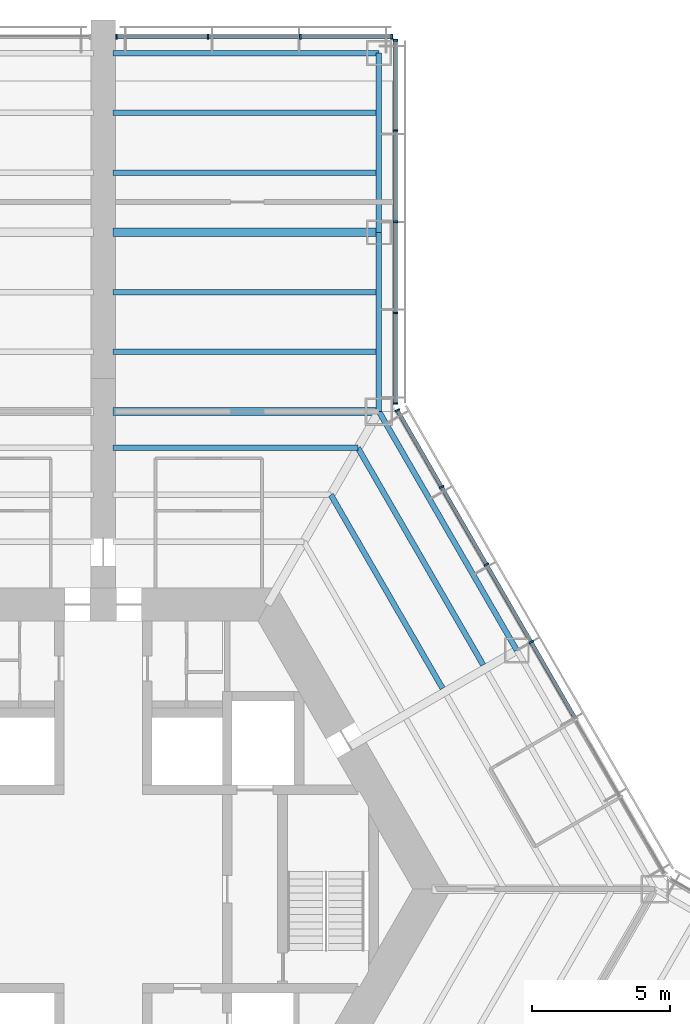
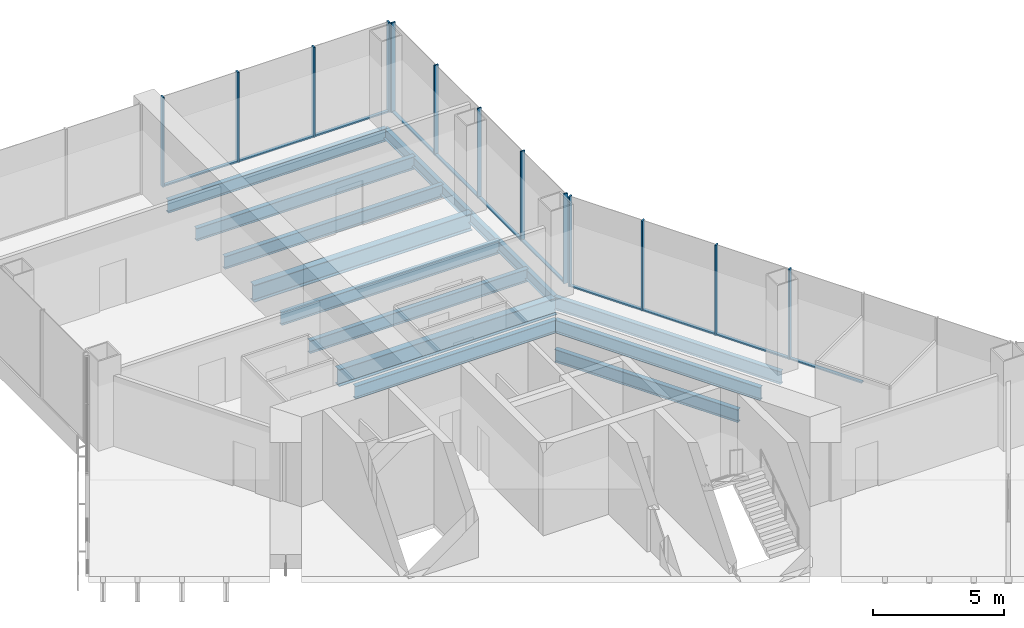
# One storey, part 7 of 16: 24 members, 13 beams, 3 elements without a shape of their own.
"""IFC4 building model written with IfcOpenShell, lengths in metres."""

from ifc_helpers import new_model, si_unit, direction, frame, origin, origin_2d, place, context, subcontext, project, spatial, rectangle, i_section, extrude, material, material_profile, profile_set, type_object, element, aggregate, save


model = new_model("IFC4")

# Units and contexts
model_context = context("Model", 3, precision=1e-05, world=origin(), true_north=direction((0.0, 1.0)))
body_context = subcontext(model_context, "Body", "Model", "MODEL_VIEW")
ifc_project = project(units=[si_unit("LENGTHUNIT", "METRE"), si_unit("AREAUNIT", "SQUARE_METRE"), si_unit("VOLUMEUNIT", "CUBIC_METRE"), si_unit("PLANEANGLEUNIT", "RADIAN"), si_unit("MASSUNIT", "GRAM", prefix="KILO")], contexts=[model_context])

# Site, building, storey
site_placement = place(None, origin())
site = spatial("IfcSite", under=ifc_project, at=site_placement, CompositionType="ELEMENT")
building_placement = place(site_placement, origin())
building = spatial("IfcBuilding", under=site, at=building_placement, Name="Kasaneha Research Tower", CompositionType="ELEMENT")
storey_placement = place(building_placement, frame((0.0, 0.0, 22.60009765625)))
storey = spatial("IfcBuildingStorey", under=building, at=storey_placement, Name="L06", CompositionType="ELEMENT", Elevation=22.60009765625)

# Beams
ifc_material_1 = material(Name="Steel SN490B", Category="steel")
ifc_material_profile_1 = material_profile(ifc_material_1, i_section(OverallWidth=0.199951171875, OverallDepth=0.60009765625, WebThickness=0.010986328125, FlangeThickness=0.01708984375, FilletRadius=0.012939453125, at=origin_2d()), Name="H-600x200x11x17")
ifc_profile_set_1 = profile_set([ifc_material_profile_1], Name="Steel SN490B")
beam_type_1 = type_object("IfcBeamType", Name="B1-1 secondary beam H-600x200x11x17", PredefinedType="JOIST", material=ifc_profile_set_1)
beam_1_placement = place(storey_placement, frame((8.256103515625, 14.300048828125, -0.5), z_axis=(0.499984030215, -0.866034623748, 0.0), x_axis=(0.866034623748, 0.499984030215, 0.0)))
element("IfcBeam", 1, at=beam_1_placement, inside=storey, type_object=beam_type_1, Name="Secondary beam RS030R2 L06", PredefinedType="JOIST", context=body_context, shape_type="SweptSolid", body=[
    extrude(i_section(OverallWidth=0.199951171875, OverallDepth=0.60009765625, WebThickness=0.010986328125, FlangeThickness=0.01708984375, FilletRadius=0.012939453125, at=origin_2d()), origin(), (0.0, 0.0, 1.0), 8.106201171875),
])
beam_2_placement = place(storey_placement, frame((9.237548828125, 16.0, -0.5), z_axis=(0.500010814234, -0.866019160093, 0.0), x_axis=(0.866019160093, 0.500010814234, 0.0)))
element("IfcBeam", 2, at=beam_2_placement, inside=storey, type_object=beam_type_1, Name="Secondary beam RS030R3 L06", PredefinedType="JOIST", context=body_context, shape_type="SweptSolid", body=[
    extrude(i_section(OverallWidth=0.199951171875, OverallDepth=0.60009765625, WebThickness=0.010986328125, FlangeThickness=0.01708984375, FilletRadius=0.012939453125, at=origin_2d()), origin(), (0.0, 0.0, 1.0), 9.087646484375),
])
beam_3_placement = place(storey_placement, frame((9.237548828125, 16.0, -0.5), z_axis=(-1.0, 0.0, 0.0), x_axis=(0.0, -1.0, 0.0)))
element("IfcBeam", 3, at=beam_3_placement, inside=storey, type_object=beam_type_1, Name="Secondary beam RS090L3 L06", PredefinedType="JOIST", context=body_context, shape_type="SweptSolid", body=[
    extrude(i_section(OverallWidth=0.199951171875, OverallDepth=0.60009765625, WebThickness=0.010986328125, FlangeThickness=0.01708984375, FilletRadius=0.012939453125, at=origin_2d()), origin(), (0.0, 0.0, 1.0), 8.887451171875),
])
ifc_material_2 = material(Name="Steel SN490B", Category="steel")
ifc_material_profile_2 = material_profile(ifc_material_2, i_section(OverallWidth=0.198974609375, OverallDepth=0.595947265625, WebThickness=0.010009765625, FlangeThickness=0.014892578125, FilletRadius=0.012939453125, at=origin_2d()), Name="H-596x199x10x15")
ifc_profile_set_2 = profile_set([ifc_material_profile_2], Name="Steel SN490B")
beam_type_2 = type_object("IfcBeamType", Name="B2-1 secondary beam H-596x199x10x15", PredefinedType="JOIST", material=ifc_profile_set_2)
for number, where, z_axis, x_axis, name in (
    (4, (10.0, 19.487060546875, -0.498046875), (-1.0, 0.0, 0.0), (0.0, -1.0, 0.0), "Secondary beam WBAP1 L06"),
    (5, (10.0, 21.65380859375, -0.498046875), (-1.0, 0.0, 0.0), (0.0, -1.0, 0.0), "Secondary beam WBAP2 L06"),
    (6, (10.0, 25.987060546875, -0.498046875), (-1.0, 0.0, 0.0), (0.0, -1.0, 0.0), "Secondary beam WBAP3 L06"),
    (7, (10.0, 28.15380859375, -0.498046875), (-1.0, 0.0, 0.0), (0.0, -1.0, 0.0), "Secondary beam WBAP4 L06"),
):
    element("IfcBeam", number, at=place(storey_placement, frame(where, z_axis=z_axis, x_axis=x_axis)), inside=storey, type_object=beam_type_2, Name=name, PredefinedType="JOIST", context=body_context, shape_type="SweptSolid", body=[
        extrude(i_section(OverallWidth=0.198974609375, OverallDepth=0.595947265625, WebThickness=0.010009765625, FlangeThickness=0.014892578125, FilletRadius=0.012939453125, at=origin_2d()), origin(), (0.0, 0.0, 1.0), 9.64990234375),
    ])

# Curtain wall, members
ifc_material_3 = material(Name="Glass and aluminium", Category="aluminium")
curtain_wall_type = type_object("IfcCurtainWallType", Name="Wet laboratory curtain wall", PredefinedType="USERDEFINED", material=ifc_material_3)
curtain_wall_1_placement = place(storey_placement, origin())
curtain_wall_1 = element("IfcCurtainWall", 8, at=curtain_wall_1_placement, inside=storey, type_object=curtain_wall_type, Name="CW-L1 L06 run 07a", ObjectType="UNITISED CURTAIN WALL", PredefinedType="USERDEFINED")
ifc_material_4 = material(Name="Aluminium 6063-T6", Category="aluminium")
ifc_material_profile_3 = material_profile(ifc_material_4, rectangle(XDim=0.06494140625, YDim=0.179931640625, at=origin_2d()), Name="CW-L1 mullion 65x180")
ifc_profile_set_3 = profile_set([ifc_material_profile_3], Name="Aluminium 6063-T6")
member_type_1 = type_object("IfcMemberType", Name="CW-L1 mullion", PredefinedType="MULLION", material=ifc_profile_set_3)
member_1_placement = place(storey_placement, frame((15.51953125, 8.960205078125, 0.0), z_axis=(0.0, 0.0, 1.0), x_axis=(-0.49999996188, 0.866025425793, 0.0)))
member_1 = element("IfcMember", 9, at=member_1_placement, type_object=member_type_1, Name="CW-L1 mullion 4", PredefinedType="MULLION", context=body_context, shape_type="SweptSolid", body=[
    extrude(rectangle(XDim=0.06494140625, YDim=0.179931640625, at=origin_2d()), origin(), (0.0, 0.0, 1.0), 4.199951171875),
])
member_2_placement = place(storey_placement, frame((13.896484375, 11.771728515625, 0.0), z_axis=(0.0, 0.0, 1.0), x_axis=(-0.49999996188, 0.866025425793, 0.0)))
member_2 = element("IfcMember", 10, at=member_2_placement, type_object=member_type_1, Name="CW-L1 mullion 5", PredefinedType="MULLION", context=body_context, shape_type="SweptSolid", body=[
    extrude(rectangle(XDim=0.06494140625, YDim=0.179931640625, at=origin_2d()), origin(), (0.0, 0.0, 1.0), 4.199951171875),
])
member_3_placement = place(storey_placement, frame((12.273193359375, 14.583251953125, 0.0), z_axis=(0.0, 0.0, 1.0), x_axis=(-0.49999996188, 0.866025425793, 0.0)))
member_3 = element("IfcMember", 11, at=member_3_placement, type_object=member_type_1, Name="CW-L1 mullion 6", PredefinedType="MULLION", context=body_context, shape_type="SweptSolid", body=[
    extrude(rectangle(XDim=0.06494140625, YDim=0.179931640625, at=origin_2d()), origin(), (0.0, 0.0, 1.0), 4.199951171875),
])
member_4_placement = place(storey_placement, frame((10.666259765625, 17.366455078125, 0.0), z_axis=(0.0, 0.0, 1.0), x_axis=(-0.49999996188, 0.866025425793, 0.0)))
member_4 = element("IfcMember", 12, at=member_4_placement, type_object=member_type_1, Name="CW-L1 mullion 7", PredefinedType="MULLION", context=body_context, shape_type="SweptSolid", body=[
    extrude(rectangle(XDim=0.06494140625, YDim=0.179931640625, at=origin_2d()), origin(), (0.0, 0.0, 1.0), 4.199951171875),
])

curtain_wall_2_placement = place(storey_placement, origin())
curtain_wall_2 = element("IfcCurtainWall", 13, at=curtain_wall_2_placement, inside=storey, type_object=curtain_wall_type, Name="CW-L1 L06 run 08a", ObjectType="UNITISED CURTAIN WALL", PredefinedType="USERDEFINED")
member_5_placement = place(storey_placement, frame((10.60009765625, 17.61376953125, 0.0), z_axis=(0.0, 0.0, 1.0), x_axis=(0.0, 1.0, 0.0)))
member_5 = element("IfcMember", 14, at=member_5_placement, type_object=member_type_1, Name="CW-L1 mullion 1", PredefinedType="MULLION", context=body_context, shape_type="SweptSolid", body=[
    extrude(rectangle(XDim=0.06494140625, YDim=0.179931640625, at=origin_2d()), origin(), (0.0, 0.0, 1.0), 4.199951171875),
])
member_6_placement = place(storey_placement, frame((10.60009765625, 20.89111328125, 0.0), z_axis=(0.0, 0.0, 1.0), x_axis=(0.0, 1.0, 0.0)))
member_6 = element("IfcMember", 15, at=member_6_placement, type_object=member_type_1, Name="CW-L1 mullion 2", PredefinedType="MULLION", context=body_context, shape_type="SweptSolid", body=[
    extrude(rectangle(XDim=0.06494140625, YDim=0.179931640625, at=origin_2d()), origin(), (0.0, 0.0, 1.0), 4.199951171875),
])
member_7_placement = place(storey_placement, frame((10.60009765625, 24.200927734375, 0.0), z_axis=(0.0, 0.0, 1.0), x_axis=(0.0, 1.0, 0.0)))
member_7 = element("IfcMember", 16, at=member_7_placement, type_object=member_type_1, Name="CW-L1 mullion 3", PredefinedType="MULLION", context=body_context, shape_type="SweptSolid", body=[
    extrude(rectangle(XDim=0.06494140625, YDim=0.179931640625, at=origin_2d()), origin(), (0.0, 0.0, 1.0), 4.199951171875),
])
member_8_placement = place(storey_placement, frame((10.60009765625, 27.5107421875, 0.0), z_axis=(0.0, 0.0, 1.0), x_axis=(0.0, 1.0, 0.0)))
member_8 = element("IfcMember", 17, at=member_8_placement, type_object=member_type_1, Name="CW-L1 mullion 4", PredefinedType="MULLION", context=body_context, shape_type="SweptSolid", body=[
    extrude(rectangle(XDim=0.06494140625, YDim=0.179931640625, at=origin_2d()), origin(), (0.0, 0.0, 1.0), 4.199951171875),
])
member_9_placement = place(storey_placement, frame((10.60009765625, 30.7880859375, 0.0), z_axis=(0.0, 0.0, 1.0), x_axis=(0.0, 1.0, 0.0)))
member_9 = element("IfcMember", 18, at=member_9_placement, type_object=member_type_1, Name="CW-L1 mullion 5", PredefinedType="MULLION", context=body_context, shape_type="SweptSolid", body=[
    extrude(rectangle(XDim=0.06494140625, YDim=0.179931640625, at=origin_2d()), origin(), (0.0, 0.0, 1.0), 4.199951171875),
])

curtain_wall_3_placement = place(storey_placement, origin())
curtain_wall_3 = element("IfcCurtainWall", 19, at=curtain_wall_3_placement, inside=storey, type_object=curtain_wall_type, Name="CW-L1 L06 run 09a", ObjectType="UNITISED CURTAIN WALL", PredefinedType="USERDEFINED")
member_10_placement = place(storey_placement, frame((10.467529296875, 30.92041015625, 0.0), z_axis=(0.0, 0.0, 1.0), x_axis=(-1.0, 0.0, 0.0)))
member_10 = element("IfcMember", 20, at=member_10_placement, type_object=member_type_1, Name="CW-L1 mullion 1", PredefinedType="MULLION", context=body_context, shape_type="SweptSolid", body=[
    extrude(rectangle(XDim=0.06494140625, YDim=0.179931640625, at=origin_2d()), origin(), (0.0, 0.0, 1.0), 4.199951171875),
])
member_11_placement = place(storey_placement, frame((7.14990234375, 30.92041015625, 0.0), z_axis=(0.0, 0.0, 1.0), x_axis=(-1.0, 0.0, 0.0)))
member_11 = element("IfcMember", 21, at=member_11_placement, type_object=member_type_1, Name="CW-L1 mullion 2", PredefinedType="MULLION", context=body_context, shape_type="SweptSolid", body=[
    extrude(rectangle(XDim=0.06494140625, YDim=0.179931640625, at=origin_2d()), origin(), (0.0, 0.0, 1.0), 4.199951171875),
])
member_12_placement = place(storey_placement, frame((3.800048828125, 30.92041015625, 0.0), z_axis=(0.0, 0.0, 1.0), x_axis=(-1.0, 0.0, 0.0)))
member_12 = element("IfcMember", 22, at=member_12_placement, type_object=member_type_1, Name="CW-L1 mullion 3", PredefinedType="MULLION", context=body_context, shape_type="SweptSolid", body=[
    extrude(rectangle(XDim=0.06494140625, YDim=0.179931640625, at=origin_2d()), origin(), (0.0, 0.0, 1.0), 4.199951171875),
])
member_13_placement = place(storey_placement, frame((0.482421875, 30.92041015625, 0.0), z_axis=(0.0, 0.0, 1.0), x_axis=(-1.0, 0.0, 0.0)))
member_13 = element("IfcMember", 23, at=member_13_placement, type_object=member_type_1, Name="CW-L1 mullion 4", PredefinedType="MULLION", context=body_context, shape_type="SweptSolid", body=[
    extrude(rectangle(XDim=0.06494140625, YDim=0.179931640625, at=origin_2d()), origin(), (0.0, 0.0, 1.0), 4.199951171875),
])

# Member
ifc_material_5 = material(Name="Aluminium 6063-T6", Category="aluminium")
ifc_material_profile_4 = material_profile(ifc_material_5, rectangle(XDim=0.139892578125, YDim=0.06494140625, at=origin_2d()), Name="CW-L1 transom 140x65")
ifc_profile_set_4 = profile_set([ifc_material_profile_4], Name="Aluminium 6063-T6")
member_type_2 = type_object("IfcMemberType", Name="CW-L1 transom", PredefinedType="USERDEFINED", material=ifc_profile_set_4)
member_14_placement = place(storey_placement, frame((17.12646484375, 6.177001953125, 0.032470703125), z_axis=(-0.499977104415, 0.866038622153, 0.0), x_axis=(-0.866038622153, -0.499977104415, 0.0)))
member_14 = element("IfcMember", 24, at=member_14_placement, type_object=member_type_2, Name="CW-L1 transom 3", ObjectType="TRANSOM", PredefinedType="USERDEFINED", context=body_context, shape_type="SweptSolid", body=[
    extrude(rectangle(XDim=0.139892578125, YDim=0.06494140625, at=origin_2d()), origin(), (0.0, 0.0, 1.0), 3.181396484375),
])

member_15_placement = place(storey_placement, frame((15.50341796875, 8.98828125, 0.032470703125), z_axis=(-0.500001430823, 0.866024577697, 0.0), x_axis=(-0.866024577697, -0.500001430823, 0.0)))
member_15 = element("IfcMember", 25, at=member_15_placement, type_object=member_type_2, Name="CW-L1 transom 4", ObjectType="TRANSOM", PredefinedType="USERDEFINED", context=body_context, shape_type="SweptSolid", body=[
    extrude(rectangle(XDim=0.139892578125, YDim=0.06494140625, at=origin_2d()), origin(), (0.0, 0.0, 1.0), 3.181640625),
])

member_16_placement = place(storey_placement, frame((13.880126953125, 11.7998046875, 0.032470703125), z_axis=(-0.499943876812, 0.866057804098, 0.0), x_axis=(-0.866057804098, -0.499943876812, 0.0)))
member_16 = element("IfcMember", 26, at=member_16_placement, type_object=member_type_2, Name="CW-L1 transom 5", ObjectType="TRANSOM", PredefinedType="USERDEFINED", context=body_context, shape_type="SweptSolid", body=[
    extrude(rectangle(XDim=0.139892578125, YDim=0.06494140625, at=origin_2d()), origin(), (0.0, 0.0, 1.0), 3.181396484375),
])

member_17_placement = place(storey_placement, frame((12.2568359375, 14.611328125, 0.032470703125), z_axis=(-0.499941702305, 0.866059059358, 0.0), x_axis=(-0.866059059358, -0.499941702305, 0.0)))
member_17 = element("IfcMember", 27, at=member_17_placement, type_object=member_type_2, Name="CW-L1 transom 6", ObjectType="TRANSOM", PredefinedType="USERDEFINED", context=body_context, shape_type="SweptSolid", body=[
    extrude(rectangle(XDim=0.139892578125, YDim=0.06494140625, at=origin_2d()), origin(), (0.0, 0.0, 1.0), 3.14892578125),
])

aggregate(curtain_wall_1, [member_1, member_2, member_3, member_4, member_14, member_15, member_16, member_17])

member_18_placement = place(storey_placement, frame((10.60009765625, 17.646240234375, 0.032470703125), z_axis=(0.0, 1.0, 0.0), x_axis=(-1.0, 0.0, 0.0)))
member_18 = element("IfcMember", 28, at=member_18_placement, type_object=member_type_2, Name="CW-L1 transom 1", ObjectType="TRANSOM", PredefinedType="USERDEFINED", context=body_context, shape_type="SweptSolid", body=[
    extrude(rectangle(XDim=0.139892578125, YDim=0.06494140625, at=origin_2d()), origin(), (0.0, 0.0, 1.0), 3.21240234375),
])

member_19_placement = place(storey_placement, frame((10.60009765625, 20.923583984375, 0.032470703125), z_axis=(0.0, 1.0, 0.0), x_axis=(-1.0, 0.0, 0.0)))
member_19 = element("IfcMember", 29, at=member_19_placement, type_object=member_type_2, Name="CW-L1 transom 2", ObjectType="TRANSOM", PredefinedType="USERDEFINED", context=body_context, shape_type="SweptSolid", body=[
    extrude(rectangle(XDim=0.139892578125, YDim=0.06494140625, at=origin_2d()), origin(), (0.0, 0.0, 1.0), 3.244873046875),
])

member_20_placement = place(storey_placement, frame((10.60009765625, 24.2333984375, 0.032470703125), z_axis=(0.0, 1.0, 0.0), x_axis=(-1.0, 0.0, 0.0)))
member_20 = element("IfcMember", 30, at=member_20_placement, type_object=member_type_2, Name="CW-L1 transom 3", ObjectType="TRANSOM", PredefinedType="USERDEFINED", context=body_context, shape_type="SweptSolid", body=[
    extrude(rectangle(XDim=0.139892578125, YDim=0.06494140625, at=origin_2d()), origin(), (0.0, 0.0, 1.0), 3.244873046875),
])

member_21_placement = place(storey_placement, frame((10.60009765625, 27.543212890625, 0.032470703125), z_axis=(0.0, 1.0, 0.0), x_axis=(-1.0, 0.0, 0.0)))
member_21 = element("IfcMember", 31, at=member_21_placement, type_object=member_type_2, Name="CW-L1 transom 4", ObjectType="TRANSOM", PredefinedType="USERDEFINED", context=body_context, shape_type="SweptSolid", body=[
    extrude(rectangle(XDim=0.139892578125, YDim=0.06494140625, at=origin_2d()), origin(), (0.0, 0.0, 1.0), 3.21240234375),
])

aggregate(curtain_wall_2, [member_5, member_6, member_7, member_8, member_9, member_18, member_19, member_20, member_21])

member_22_placement = place(storey_placement, frame((10.43505859375, 30.92041015625, 0.032470703125), z_axis=(-1.0, 0.0, 0.0), x_axis=(0.0, -1.0, 0.0)))
member_22 = element("IfcMember", 32, at=member_22_placement, type_object=member_type_2, Name="CW-L1 transom 1", ObjectType="TRANSOM", PredefinedType="USERDEFINED", context=body_context, shape_type="SweptSolid", body=[
    extrude(rectangle(XDim=0.139892578125, YDim=0.06494140625, at=origin_2d()), origin(), (0.0, 0.0, 1.0), 3.25244140625),
])

member_23_placement = place(storey_placement, frame((7.117431640625, 30.92041015625, 0.032470703125), z_axis=(-1.0, 0.0, 0.0), x_axis=(0.0, -1.0, 0.0)))
member_23 = element("IfcMember", 33, at=member_23_placement, type_object=member_type_2, Name="CW-L1 transom 2", ObjectType="TRANSOM", PredefinedType="USERDEFINED", context=body_context, shape_type="SweptSolid", body=[
    extrude(rectangle(XDim=0.139892578125, YDim=0.06494140625, at=origin_2d()), origin(), (0.0, 0.0, 1.0), 3.284912109375),
])

member_24_placement = place(storey_placement, frame((3.767578125, 30.92041015625, 0.032470703125), z_axis=(-1.0, 0.0, 0.0), x_axis=(0.0, -1.0, 0.0)))
member_24 = element("IfcMember", 34, at=member_24_placement, type_object=member_type_2, Name="CW-L1 transom 3", ObjectType="TRANSOM", PredefinedType="USERDEFINED", context=body_context, shape_type="SweptSolid", body=[
    extrude(rectangle(XDim=0.139892578125, YDim=0.06494140625, at=origin_2d()), origin(), (0.0, 0.0, 1.0), 3.252685546875),
])

aggregate(curtain_wall_3, [member_10, member_11, member_12, member_13, member_22, member_23, member_24])

# Beams
ifc_material_6 = material(Name="Steel SN490B", Category="steel")
ifc_material_profile_5 = material_profile(ifc_material_6, i_section(OverallWidth=0.300048828125, OverallDepth=0.7919921875, WebThickness=0.013916015625, FlangeThickness=0.02197265625, FilletRadius=0.01806640625, at=origin_2d()), Name="H-792x300x14x22")
ifc_profile_set_5 = profile_set([ifc_material_profile_5], Name="Steel SN490B")
beam_type_3 = type_object("IfcBeamType", Name="G3-1 plate edge girder H-792x300x14x22", PredefinedType="BEAM", material=ifc_profile_set_5)
beam_4_placement = place(storey_placement, frame((10.0, 17.320556640625, -0.59619140625), z_axis=(-1.0, 0.0, 0.0), x_axis=(0.0, -1.0, 0.0)))
element("IfcBeam", 35, at=beam_4_placement, inside=storey, type_object=beam_type_3, Name="Plate edge girder PEAP L06", PredefinedType="BEAM", context=body_context, shape_type="SweptSolid", body=[
    extrude(i_section(OverallWidth=0.300048828125, OverallDepth=0.7919921875, WebThickness=0.013916015625, FlangeThickness=0.02197265625, FilletRadius=0.01806640625, at=origin_2d()), origin(), (0.0, 0.0, 1.0), 9.64990234375),
])
ifc_material_7 = material(Name="Steel SN490B", Category="steel")
ifc_material_profile_6 = material_profile(ifc_material_7, i_section(OverallWidth=0.300048828125, OverallDepth=0.800048828125, WebThickness=0.013916015625, FlangeThickness=0.02587890625, FilletRadius=0.01806640625, at=origin_2d()), Name="H-800x300x14x26")
ifc_profile_set_6 = profile_set([ifc_material_profile_6], Name="Steel SN490B")
beam_type_4 = type_object("IfcBeamType", Name="G4-1 wing girder H-800x300x14x26", PredefinedType="BEAM", material=ifc_profile_set_6)
beam_5_placement = place(storey_placement, frame((10.0, 23.820556640625, -0.60009765625), z_axis=(-1.0, 0.0, 0.0), x_axis=(0.0, -1.0, 0.0)))
element("IfcBeam", 36, at=beam_5_placement, inside=storey, type_object=beam_type_4, Name="Wing girder WGAP L06", PredefinedType="BEAM", context=body_context, shape_type="SweptSolid", body=[
    extrude(i_section(OverallWidth=0.300048828125, OverallDepth=0.800048828125, WebThickness=0.013916015625, FlangeThickness=0.02587890625, FilletRadius=0.01806640625, at=origin_2d()), origin(), (0.0, 0.0, 1.0), 9.64990234375),
])
ifc_material_8 = material(Name="Steel SN490B", Category="steel")
ifc_material_profile_7 = material_profile(ifc_material_8, i_section(OverallWidth=0.199951171875, OverallDepth=0.60009765625, WebThickness=0.010986328125, FlangeThickness=0.01708984375, FilletRadius=0.012939453125, at=origin_2d()), Name="H-600x200x11x17")
ifc_profile_set_7 = profile_set([ifc_material_profile_7], Name="Steel SN490B")
beam_type_5 = type_object("IfcBeamType", Name="SB1-1 spandrel beam H-600x200x11x17", PredefinedType="SPANDREL", material=ifc_profile_set_7)
beam_6_placement = place(storey_placement, frame((10.0, 17.320556640625, -0.5), z_axis=(0.499993662806, -0.866029062534, 0.0), x_axis=(0.866029062534, 0.499993662806, 0.0)))
element("IfcBeam", 37, at=beam_6_placement, inside=storey, type_object=beam_type_5, Name="Spandrel beam SR030R L06", PredefinedType="SPANDREL", context=body_context, shape_type="SweptSolid", body=[
    extrude(i_section(OverallWidth=0.199951171875, OverallDepth=0.60009765625, WebThickness=0.010986328125, FlangeThickness=0.01708984375, FilletRadius=0.012939453125, at=origin_2d()), origin(), (0.0, 0.0, 1.0), 10.000244140625),
])
ifc_material_9 = material(Name="Steel SN490B", Category="steel")
ifc_material_profile_8 = material_profile(ifc_material_9, i_section(OverallWidth=0.199951171875, OverallDepth=0.5, WebThickness=0.010009765625, FlangeThickness=0.01611328125, FilletRadius=0.012939453125, at=origin_2d()), Name="H-500x200x10x16")
ifc_profile_set_8 = profile_set([ifc_material_profile_8], Name="Steel SN490B")
beam_type_6 = type_object("IfcBeamType", Name="SB2-1 spandrel beam H-500x200x10x16", PredefinedType="SPANDREL", material=ifc_profile_set_8)
for number, where, z_axis, x_axis, name in (
    (38, (10.0, 17.320556640625, -0.4501953125), (0.0, 1.0, 0.0), (-1.0, 0.0, 0.0), "Spandrel beam WSAP1 L06"),
    (39, (10.0, 23.820556640625, -0.4501953125), (0.0, 1.0, 0.0), (-1.0, 0.0, 0.0), "Spandrel beam WSAP2 L06"),
):
    element("IfcBeam", number, at=place(storey_placement, frame(where, z_axis=z_axis, x_axis=x_axis)), inside=storey, type_object=beam_type_6, Name=name, PredefinedType="SPANDREL", context=body_context, shape_type="SweptSolid", body=[
        extrude(i_section(OverallWidth=0.199951171875, OverallDepth=0.5, WebThickness=0.010009765625, FlangeThickness=0.01611328125, FilletRadius=0.012939453125, at=origin_2d()), origin(), (0.0, 0.0, 1.0), 6.5),
    ])
ifc_material_10 = material(Name="Steel SN490B", Category="steel")
ifc_material_profile_9 = material_profile(ifc_material_10, i_section(OverallWidth=0.199951171875, OverallDepth=0.60009765625, WebThickness=0.010986328125, FlangeThickness=0.01708984375, FilletRadius=0.012939453125, at=origin_2d()), Name="H-600x200x11x17")
ifc_profile_set_9 = profile_set([ifc_material_profile_9], Name="Steel SN490B")
beam_type_7 = type_object("IfcBeamType", Name="SB3-1 spandrel beam H-600x200x11x17", PredefinedType="SPANDREL", material=ifc_profile_set_9)
beam_7_placement = place(storey_placement, frame((10.0, 30.320556640625, -0.5), z_axis=(-1.0, 0.0, 0.0), x_axis=(0.0, -1.0, 0.0)))
element("IfcBeam", 40, at=beam_7_placement, inside=storey, type_object=beam_type_7, Name="Spandrel beam WTAP L06", PredefinedType="SPANDREL", context=body_context, shape_type="SweptSolid", body=[
    extrude(i_section(OverallWidth=0.199951171875, OverallDepth=0.60009765625, WebThickness=0.010986328125, FlangeThickness=0.01708984375, FilletRadius=0.012939453125, at=origin_2d()), origin(), (0.0, 0.0, 1.0), 9.64990234375),
])

save(model, "model.ifc")
